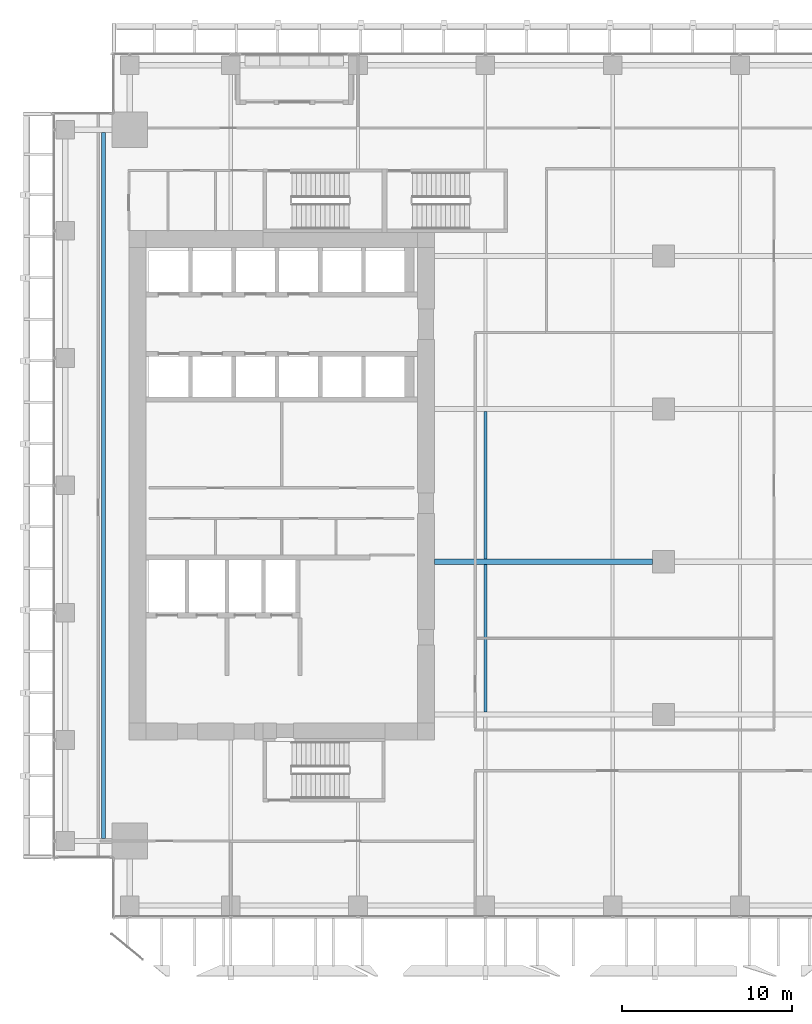
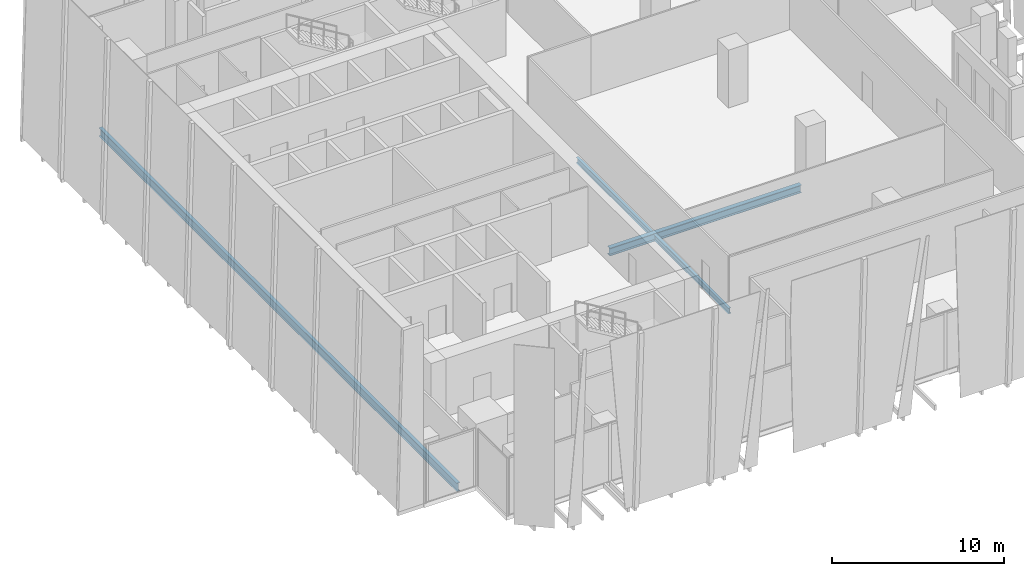
# One storey, part 8 of 36: 4 beams.
"""IFC4 building model written with IfcOpenShell, lengths in metres."""

from ifc_helpers import new_model, si_unit, direction, frame, origin, origin_2d, place, context, subcontext, project, spatial, i_section, extrude, source, transform, mapped, material, material_profile, profile_set, type_object, element, save


model = new_model("IFC4")

# Units and contexts
model_context = context("Model", 3, precision=1e-05, world=origin(), true_north=direction((0.0, 1.0)))
body_context = subcontext(model_context, "Body", "Model", "MODEL_VIEW")
ifc_project = project(units=[si_unit("LENGTHUNIT", "METRE"), si_unit("AREAUNIT", "SQUARE_METRE"), si_unit("VOLUMEUNIT", "CUBIC_METRE"), si_unit("PLANEANGLEUNIT", "RADIAN"), si_unit("MASSUNIT", "GRAM", prefix="KILO")], contexts=[model_context])

# Site, building, storey
site_placement = place(None, origin())
site = spatial("IfcSite", under=ifc_project, at=site_placement, CompositionType="ELEMENT")
building_placement = place(site_placement, origin())
building = spatial("IfcBuilding", under=site, at=building_placement, Name="Khomas Fold Tower", CompositionType="ELEMENT")
storey_placement = place(building_placement, frame((0.0, 0.0, 141.10009765625)))
storey = spatial("IfcBuildingStorey", under=building, at=storey_placement, Name="L30", CompositionType="ELEMENT", Elevation=141.10009765625)

# Beams
ifc_material_1 = material(Name="Steel S355", Category="steel")
ifc_material_profile_1 = material_profile(ifc_material_1, i_section(OverallWidth=0.179931640625, OverallDepth=0.39990234375, WebThickness=0.008544921875, FlangeThickness=0.013427734375, at=origin_2d()), Name="IPE 400")
ifc_profile_set_1 = profile_set([ifc_material_profile_1], Name="Steel S355")
beam_type_1 = type_object("IfcBeamType", Name="IPE 400 beam JB3", PredefinedType="BEAM", material=ifc_profile_set_1)
shared_shape_1 = source(origin(), body_context, "Body", "SweptSolid", [
    extrude(i_section(OverallWidth=0.179931640625, OverallDepth=0.39990234375, WebThickness=0.008544921875, FlangeThickness=0.013427734375, at=origin_2d()), origin(), (0.0, 0.0, 1.0), 8.7001953125),
])
for number, where, z_axis, x_axis, name in (
    (1, (27.0, 13.64990234375, -0.5), (0.0, 1.0, 0.0), (-1.0, 0.0, 0.0), "JB3"),
    (2, (27.0, 22.64990234375, -0.5), (0.0, 1.0, 0.0), (-1.0, 0.0, 0.0), "JB3"),
):
    element("IfcBeam", number, at=place(storey_placement, frame(where, z_axis=z_axis, x_axis=x_axis)), inside=storey, type_object=beam_type_1, Name=name, PredefinedType="BEAM", context=body_context, shape_type="MappedRepresentation", body=[
        mapped(shared_shape_1, transform((0.0, 0.0, 0.0))),
    ])
ifc_material_2 = material(Name="Steel S355", Category="steel")
ifc_material_profile_2 = material_profile(ifc_material_2, i_section(OverallWidth=0.300048828125, OverallDepth=0.550048828125, WebThickness=0.014892578125, FlangeThickness=0.029052734375, at=origin_2d()), Name="HE 550 B")
ifc_profile_set_2 = profile_set([ifc_material_profile_2], Name="Steel S355")
beam_type_2 = type_object("IfcBeamType", Name="HE 550 B beam GB4", PredefinedType="BEAM", material=ifc_profile_set_2)
shared_shape_2 = source(origin(), body_context, "Body", "SweptSolid", [
    extrude(i_section(OverallWidth=0.300048828125, OverallDepth=0.550048828125, WebThickness=0.014892578125, FlangeThickness=0.029052734375, at=origin_2d()), origin(), (0.0, 0.0, 1.0), 12.85009765625),
])
beam_1_placement = place(storey_placement, frame((24.0, 22.5, -0.5751953125), z_axis=(1.0, 0.0, 0.0), x_axis=(0.0, 1.0, 0.0)))
element("IfcBeam", 3, at=beam_1_placement, inside=storey, type_object=beam_type_2, Name="GB4", PredefinedType="BEAM", context=body_context, shape_type="MappedRepresentation", body=[
    mapped(shared_shape_2, transform((0.0, 0.0, 0.0))),
])
ifc_material_3 = material(Name="Steel S355", Category="steel")
ifc_material_profile_3 = material_profile(ifc_material_3, i_section(OverallWidth=0.219970703125, OverallDepth=0.60009765625, WebThickness=0.011962890625, FlangeThickness=0.01904296875, at=origin_2d()), Name="IPE 600")
ifc_profile_set_3 = profile_set([ifc_material_profile_3], Name="Steel S355")
beam_type_3 = type_object("IfcBeamType", Name="IPE 600 beam JB7", PredefinedType="BEAM", material=ifc_profile_set_3)
shared_shape_3 = source(origin(), body_context, "Body", "SweptSolid", [
    extrude(i_section(OverallWidth=0.219970703125, OverallDepth=0.60009765625, WebThickness=0.011962890625, FlangeThickness=0.01904296875, at=origin_2d()), origin(), (0.0, 0.0, 1.0), 41.60009765625),
])
beam_2_placement = place(storey_placement, frame((4.5, 6.199951171875, -0.60009765625), z_axis=(0.0, 1.0, 0.0), x_axis=(-1.0, 0.0, 0.0)))
element("IfcBeam", 4, at=beam_2_placement, inside=storey, type_object=beam_type_3, Name="JB7", PredefinedType="BEAM", context=body_context, shape_type="MappedRepresentation", body=[
    mapped(shared_shape_3, transform((0.0, 0.0, 0.0))),
])

save(model, "model.ifc")
